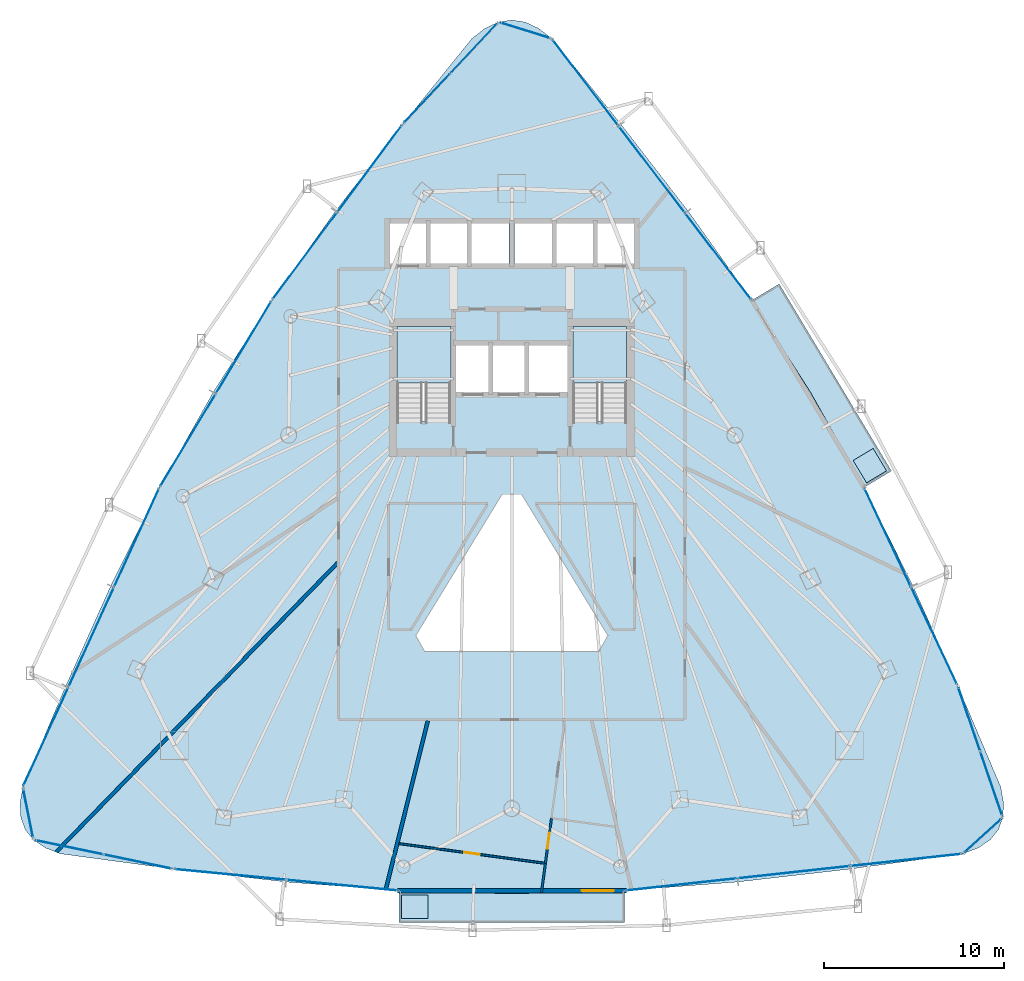
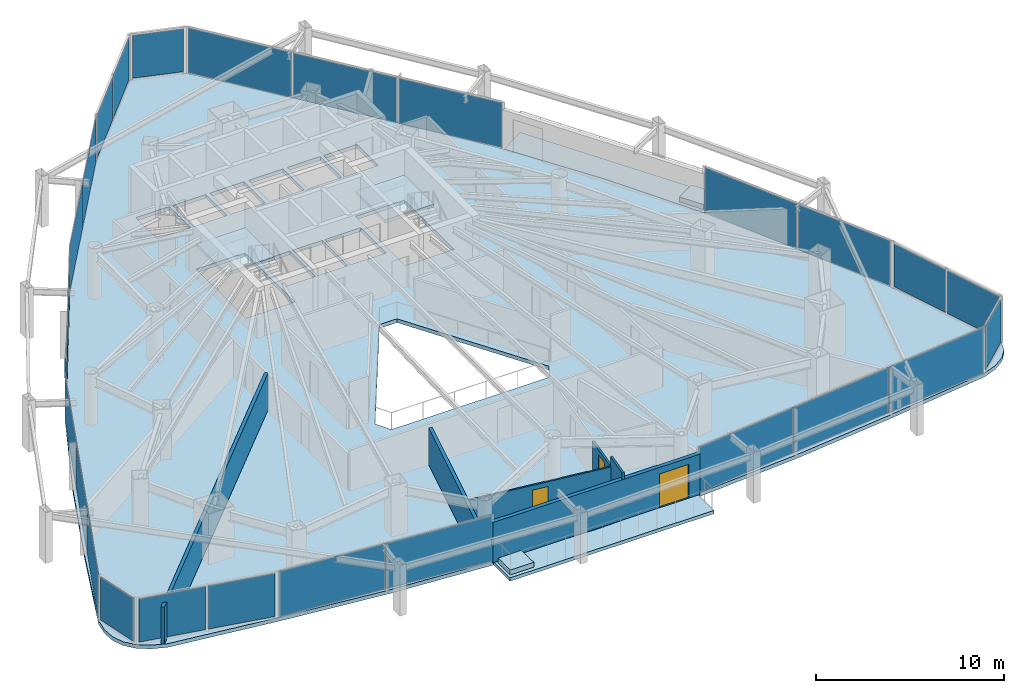
# One storey, part 28 of 33: 26 plates, 7 slabs, 6 walls, 3 doors, 3 openings, 15 elements without a shape of their own.
"""IFC4 building model written with IfcOpenShell, lengths in metres."""

from ifc_helpers import new_model, si_unit, direction, frame, frame_2d, origin, origin_2d, place, context, subcontext, project, spatial, polyline, rectangle, outline, extrude, material, layer, layer_set, type_object, element, fill, aggregate, save


model = new_model("IFC4")

# Units and contexts
model_context = context("Model", 3, precision=1e-05, world=origin(), true_north=direction((0.0, 1.0)))
body_context = subcontext(model_context, "Body", "Model", "MODEL_VIEW")
ifc_project = project(units=[si_unit("LENGTHUNIT", "METRE"), si_unit("AREAUNIT", "SQUARE_METRE"), si_unit("VOLUMEUNIT", "CUBIC_METRE"), si_unit("PLANEANGLEUNIT", "RADIAN"), si_unit("MASSUNIT", "GRAM", prefix="KILO")], contexts=[model_context])

# Site, building, storey
site_placement = place(None, origin())
site = spatial("IfcSite", under=ifc_project, at=site_placement, CompositionType="ELEMENT")
building_placement = place(site_placement, origin())
building = spatial("IfcBuilding", under=site, at=building_placement, Name="Orvanel Arch Residences", CompositionType="ELEMENT")
storey_placement = place(building_placement, frame((0.0, 0.0, 84.050048828125)))
storey = spatial("IfcBuildingStorey", under=building, at=storey_placement, Name="L23", CompositionType="ELEMENT", Elevation=84.050048828125)

# Curtain wall, plates
ifc_material_1 = material(Name="Bronze-anodised aluminium AA6063-T6", Category="aluminium")
ifc_layer_1 = layer(ifc_material_1, 0.179931640625)
ifc_layer_set_1 = layer_set([ifc_layer_1], Name="Bronze-anodised aluminium AA6063-T6")
curtain_wall_type_1 = type_object("IfcCurtainWallType", Name="CW2-LOW-SYS", PredefinedType="NOTDEFINED", material=ifc_layer_set_1)
curtain_wall_1_placement = place(storey_placement, origin())
curtain_wall_1 = element("IfcCurtainWall", 1, at=curtain_wall_1_placement, inside=storey, type_object=curtain_wall_type_1, Name="L23 CW2-LOW-SYS Unitised Curtain Wall", PredefinedType="NOTDEFINED")
ifc_material_2 = material(Name="Double-glazed solar-control low-E safety glass", Category="glass")
ifc_layer_2 = layer(ifc_material_2, 0.028076171875)
ifc_layer_set_2 = layer_set([ifc_layer_2], Name="Double-glazed solar-control low-E safety glass")
plate_type_1 = type_object("IfcPlateType", Name="PNL-GLZ-28", PredefinedType="CURTAIN_PANEL", material=ifc_layer_set_2)
plate_1_placement = place(storey_placement, frame((25.074951171875, 42.485107421875, 0.06005859375), z_axis=(0.0, 0.0, 1.0), x_axis=(-0.59629979893, -0.80276182632, 0.0)))
plate_1 = element("IfcPlate", 2, at=plate_1_placement, type_object=plate_type_1, Name="CW-S2 panel 1.1", PredefinedType="CURTAIN_PANEL", context=body_context, shape_type="SweptSolid", body=[
    extrude(rectangle(XDim=5.98095703125, YDim=0.028076171875, at=origin_2d()), origin(), (0.0, 0.0, 1.0), 2.93994140625),
])
plate_2_placement = place(storey_placement, frame((21.467041015625, 37.627685546875, 0.06005859375), z_axis=(0.0, 0.0, 1.0), x_axis=(-0.59629979893, -0.80276182632, 0.0)))
plate_2 = element("IfcPlate", 3, at=plate_2_placement, type_object=plate_type_1, Name="CW-S2 panel 2.1", PredefinedType="CURTAIN_PANEL", context=body_context, shape_type="SweptSolid", body=[
    extrude(rectangle(XDim=5.98095703125, YDim=0.028076171875, at=origin_2d()), origin(), (0.0, 0.0, 1.0), 2.93994140625),
])
aggregate(curtain_wall_1, [plate_1, plate_2])

curtain_wall_2_placement = place(storey_placement, origin())
curtain_wall_2 = element("IfcCurtainWall", 4, at=curtain_wall_2_placement, inside=storey, type_object=curtain_wall_type_1, Name="L23 CW2-LOW-SYS Unitised Curtain Wall", PredefinedType="NOTDEFINED")
plate_3_placement = place(storey_placement, frame((18.05322265625, 32.526123046875, 0.06005859375), z_axis=(0.0, 0.0, 1.0), x_axis=(-0.514422907712, -0.857536630134, 0.0)))
plate_3 = element("IfcPlate", 5, at=plate_3_placement, type_object=plate_type_1, Name="CW-S2 panel 1.1", PredefinedType="CURTAIN_PANEL", context=body_context, shape_type="SweptSolid", body=[
    extrude(rectangle(XDim=5.951416015625, YDim=0.028076171875, at=origin_2d()), origin(), (0.0, 0.0, 1.0), 2.93994140625),
])
plate_4_placement = place(storey_placement, frame((14.955810546875, 27.36279296875, 0.06005859375), z_axis=(0.0, 0.0, 1.0), x_axis=(-0.514422907712, -0.857536630134, 0.0)))
plate_4 = element("IfcPlate", 6, at=plate_4_placement, type_object=plate_type_1, Name="CW-S2 panel 2.1", PredefinedType="CURTAIN_PANEL", context=body_context, shape_type="SweptSolid", body=[
    extrude(rectangle(XDim=5.951416015625, YDim=0.028076171875, at=origin_2d()), origin(), (0.0, 0.0, 1.0), 2.93994140625),
])
aggregate(curtain_wall_2, [plate_3, plate_4])

curtain_wall_3_placement = place(storey_placement, origin())
curtain_wall_3 = element("IfcCurtainWall", 7, at=curtain_wall_3_placement, inside=storey, type_object=curtain_wall_type_1, Name="L23 CW2-LOW-SYS Unitised Curtain Wall", PredefinedType="NOTDEFINED")
plate_5_placement = place(storey_placement, frame((12.096923828125, 21.9248046875, 0.06005859375), z_axis=(0.0, 0.0, 1.0), x_axis=(-0.415267778343, -0.90969922077, 0.0)))
plate_5 = element("IfcPlate", 8, at=plate_5_placement, type_object=plate_type_1, Name="CW-S2 panel 1.1", PredefinedType="CURTAIN_PANEL", context=body_context, shape_type="SweptSolid", body=[
    extrude(rectangle(XDim=5.996337890625, YDim=0.028076171875, at=origin_2d()), origin(), (0.0, 0.0, 1.0), 2.93994140625),
])
plate_6_placement = place(storey_placement, frame((9.570556640625, 16.390380859375, 0.06005859375), z_axis=(0.0, 0.0, 1.0), x_axis=(-0.415267778343, -0.90969922077, 0.0)))
plate_6 = element("IfcPlate", 9, at=plate_6_placement, type_object=plate_type_1, Name="CW-S2 panel 2.1", PredefinedType="CURTAIN_PANEL", context=body_context, shape_type="SweptSolid", body=[
    extrude(rectangle(XDim=6.03125, YDim=0.028076171875, at=origin_2d()), origin(), (0.0, 0.0, 1.0), 2.93994140625),
])
plate_7_placement = place(storey_placement, frame((7.044189453125, 10.856201171875, 0.06005859375), z_axis=(0.0, 0.0, 1.0), x_axis=(-0.415267778343, -0.90969922077, 0.0)))
plate_7 = element("IfcPlate", 10, at=plate_7_placement, type_object=plate_type_1, Name="CW-S2 panel 3.1", PredefinedType="CURTAIN_PANEL", context=body_context, shape_type="SweptSolid", body=[
    extrude(rectangle(XDim=5.996337890625, YDim=0.028076171875, at=origin_2d()), origin(), (0.0, 0.0, 1.0), 2.93994140625),
])
aggregate(curtain_wall_3, [plate_5, plate_6, plate_7])

curtain_wall_4_placement = place(storey_placement, origin())
curtain_wall_4 = element("IfcCurtainWall", 11, at=curtain_wall_4_placement, inside=storey, type_object=curtain_wall_type_1, Name="L23 CW2-LOW-SYS Unitised Curtain Wall", PredefinedType="NOTDEFINED")
plate_8_placement = place(storey_placement, frame((17.32177734375, 3.169677734375, 0.06005859375), z_axis=(0.0, 0.0, 1.0), x_axis=(0.995449276227, -0.095292908754, 0.0)))
plate_8 = element("IfcPlate", 12, at=plate_8_placement, type_object=plate_type_1, Name="CW-S2 panel 1.1", PredefinedType="CURTAIN_PANEL", context=body_context, shape_type="SweptSolid", body=[
    extrude(rectangle(XDim=6.18603515625, YDim=0.028076171875, at=origin_2d()), origin(), (0.0, 0.0, 1.0), 2.93994140625),
])
plate_9_placement = place(storey_placement, frame((23.54931640625, 2.573486328125, 0.06005859375), z_axis=(0.0, 0.0, 1.0), x_axis=(0.995449276227, -0.095292908754, 0.0)))
plate_9 = element("IfcPlate", 13, at=plate_9_placement, type_object=plate_type_1, Name="CW-S2 panel 2.1", PredefinedType="CURTAIN_PANEL", context=body_context, shape_type="SweptSolid", body=[
    extrude(rectangle(XDim=6.18603515625, YDim=0.028076171875, at=origin_2d()), origin(), (0.0, 0.0, 1.0), 2.93994140625),
])
aggregate(curtain_wall_4, [plate_8, plate_9])

curtain_wall_5_placement = place(storey_placement, origin())
curtain_wall_5 = element("IfcCurtainWall", 14, at=curtain_wall_5_placement, inside=storey, type_object=curtain_wall_type_1, Name="L23 CW2-LOW-SYS Unitised Curtain Wall", PredefinedType="NOTDEFINED")
plate_10_placement = place(storey_placement, frame((42.453857421875, 2.615478515625, 0.06005859375), z_axis=(0.0, 0.0, 1.0), x_axis=(0.994117397629, 0.108307893213, 0.0)))
plate_10 = element("IfcPlate", 15, at=plate_10_placement, type_object=plate_type_1, Name="CW-S2 panel 1.1", PredefinedType="CURTAIN_PANEL", context=body_context, shape_type="SweptSolid", body=[
    extrude(rectangle(XDim=6.201171875, YDim=0.028076171875, at=origin_2d()), origin(), (0.0, 0.0, 1.0), 2.93994140625),
])
plate_11_placement = place(storey_placement, frame((48.70556640625, 3.29638671875, 0.06005859375), z_axis=(0.0, 0.0, 1.0), x_axis=(0.994117397629, 0.108307893213, 0.0)))
plate_11 = element("IfcPlate", 16, at=plate_11_placement, type_object=plate_type_1, Name="CW-S2 panel 2.1", PredefinedType="CURTAIN_PANEL", context=body_context, shape_type="SweptSolid", body=[
    extrude(rectangle(XDim=6.236083984375, YDim=0.028076171875, at=origin_2d()), origin(), (0.0, 0.0, 1.0), 2.93994140625),
])
plate_12_placement = place(storey_placement, frame((54.95703125, 3.9775390625, 0.06005859375), z_axis=(0.0, 0.0, 1.0), x_axis=(0.994117397629, 0.108307893213, 0.0)))
plate_12 = element("IfcPlate", 17, at=plate_12_placement, type_object=plate_type_1, Name="CW-S2 panel 3.1", PredefinedType="CURTAIN_PANEL", context=body_context, shape_type="SweptSolid", body=[
    extrude(rectangle(XDim=6.201171875, YDim=0.028076171875, at=origin_2d()), origin(), (0.0, 0.0, 1.0), 2.93994140625),
])
aggregate(curtain_wall_5, [plate_10, plate_11, plate_12])

curtain_wall_6_placement = place(storey_placement, origin())
curtain_wall_6 = element("IfcCurtainWall", 18, at=curtain_wall_6_placement, inside=storey, type_object=curtain_wall_type_1, Name="L23 CW2-LOW-SYS Unitised Curtain Wall", PredefinedType="NOTDEFINED")
plate_13_placement = place(storey_placement, frame((56.52392578125, 16.478759765625, 0.06005859375), z_axis=(0.0, 0.0, 1.0), x_axis=(-0.427386942528, 0.904068803442, 0.0)))
plate_13 = element("IfcPlate", 19, at=plate_13_placement, type_object=plate_type_1, Name="CW-S2 panel 1.1", PredefinedType="CURTAIN_PANEL", context=body_context, shape_type="SweptSolid", body=[
    extrude(rectangle(XDim=5.980712890625, YDim=0.028076171875, at=origin_2d()), origin(), (0.0, 0.0, 1.0), 2.93994140625),
])
plate_14_placement = place(storey_placement, frame((53.93798828125, 21.94921875, 0.06005859375), z_axis=(0.0, 0.0, 1.0), x_axis=(-0.427386942528, 0.904068803442, 0.0)))
plate_14 = element("IfcPlate", 20, at=plate_14_placement, type_object=plate_type_1, Name="CW-S2 panel 2.1", PredefinedType="CURTAIN_PANEL", context=body_context, shape_type="SweptSolid", body=[
    extrude(rectangle(XDim=5.980712890625, YDim=0.028076171875, at=origin_2d()), origin(), (0.0, 0.0, 1.0), 2.93994140625),
])
aggregate(curtain_wall_6, [plate_13, plate_14])

curtain_wall_7_placement = place(storey_placement, origin())
curtain_wall_7 = element("IfcCurtainWall", 21, at=curtain_wall_7_placement, inside=storey, type_object=curtain_wall_type_1, Name="L23 CW2-LOW-SYS Unitised Curtain Wall", PredefinedType="NOTDEFINED")
plate_15_placement = place(storey_placement, frame((44.495361328125, 37.60888671875, 0.06005859375), z_axis=(0.0, 0.0, 1.0), x_axis=(-0.607109355399, 0.794618292381, 0.0)))
plate_15 = element("IfcPlate", 22, at=plate_15_placement, type_object=plate_type_1, Name="CW-S2 panel 1.1", PredefinedType="CURTAIN_PANEL", context=body_context, shape_type="SweptSolid", body=[
    extrude(rectangle(XDim=5.99609375, YDim=0.028076171875, at=origin_2d()), origin(), (0.0, 0.0, 1.0), 2.93994140625),
])
plate_16_placement = place(storey_placement, frame((40.802001953125, 42.443115234375, 0.06005859375), z_axis=(0.0, 0.0, 1.0), x_axis=(-0.607109355399, 0.794618292381, 0.0)))
plate_16 = element("IfcPlate", 23, at=plate_16_placement, type_object=plate_type_1, Name="CW-S2 panel 2.1", PredefinedType="CURTAIN_PANEL", context=body_context, shape_type="SweptSolid", body=[
    extrude(rectangle(XDim=6.031005859375, YDim=0.028076171875, at=origin_2d()), origin(), (0.0, 0.0, 1.0), 2.93994140625),
])
plate_17_placement = place(storey_placement, frame((37.108642578125, 47.277099609375, 0.06005859375), z_axis=(0.0, 0.0, 1.0), x_axis=(-0.607109355399, 0.794618292381, 0.0)))
plate_17 = element("IfcPlate", 24, at=plate_17_placement, type_object=plate_type_1, Name="CW-S2 panel 3.1", PredefinedType="CURTAIN_PANEL", context=body_context, shape_type="SweptSolid", body=[
    extrude(rectangle(XDim=5.99609375, YDim=0.028076171875, at=origin_2d()), origin(), (0.0, 0.0, 1.0), 2.93994140625),
])
aggregate(curtain_wall_7, [plate_15, plate_16, plate_17])

# Curtain wall, plate
ifc_layer_3 = layer(ifc_material_1, 0.18994140625)
ifc_layer_set_3 = layer_set([ifc_layer_3], Name="Bronze-anodised aluminium AA6063-T6")
curtain_wall_type_2 = type_object("IfcCurtainWallType", Name="CW5-CRN-SYS", PredefinedType="NOTDEFINED", material=ifc_layer_set_3)
curtain_wall_8_placement = place(storey_placement, origin())
curtain_wall_8 = element("IfcCurtainWall", 25, at=curtain_wall_8_placement, inside=storey, type_object=curtain_wall_type_2, Name="L23 CW5-CRN-SYS Unitised Curtain Wall", PredefinedType="NOTDEFINED")
ifc_layer_4 = layer(ifc_material_2, 0.031982421875)
ifc_layer_set_4 = layer_set([ifc_layer_4], Name="Double-glazed solar-control low-E safety glass")
plate_type_2 = type_object("IfcPlateType", Name="PNL-GLZ-32", PredefinedType="CURTAIN_PANEL", material=ifc_layer_set_4)
plate_18_placement = place(storey_placement, frame((33.744384765625, 50.194580078125, 0.1298828125), z_axis=(0.0, 0.0, 1.0), x_axis=(-0.954854729762, 0.297073130813, 0.0)))
plate_18 = element("IfcPlate", 26, at=plate_18_placement, type_object=plate_type_2, Name="CW-S5 panel 1.1", PredefinedType="CURTAIN_PANEL", context=body_context, shape_type="SweptSolid", body=[
    extrude(rectangle(XDim=2.780029296875, YDim=0.031982421875, at=origin_2d()), origin(), (0.0, 0.0, 1.0), 2.800048828125),
])
aggregate(curtain_wall_8, [plate_18])

# Curtain wall, plates
curtain_wall_9_placement = place(storey_placement, origin())
curtain_wall_9 = element("IfcCurtainWall", 27, at=curtain_wall_9_placement, inside=storey, type_object=curtain_wall_type_2, Name="L23 CW5-CRN-SYS Unitised Curtain Wall", PredefinedType="NOTDEFINED")
plate_19_placement = place(storey_placement, frame((30.88671875, 49.1982421875, 0.1298828125), z_axis=(0.0, 0.0, 1.0), x_axis=(-0.683898325787, -0.729577329682, 0.0)))
plate_19 = element("IfcPlate", 28, at=plate_19_placement, type_object=plate_type_2, Name="CW-S5 panel 1.1", PredefinedType="CURTAIN_PANEL", context=body_context, shape_type="SweptSolid", body=[
    extrude(rectangle(XDim=3.660888671875, YDim=0.031982421875, at=origin_2d()), origin(), (0.0, 0.0, 1.0), 2.800048828125),
])
plate_20_placement = place(storey_placement, frame((28.280517578125, 46.41796875, 0.1298828125), z_axis=(0.0, 0.0, 1.0), x_axis=(-0.683898325787, -0.729577329682, 0.0)))
plate_20 = element("IfcPlate", 29, at=plate_20_placement, type_object=plate_type_2, Name="CW-S5 panel 2.1", PredefinedType="CURTAIN_PANEL", context=body_context, shape_type="SweptSolid", body=[
    extrude(rectangle(XDim=3.660888671875, YDim=0.031982421875, at=origin_2d()), origin(), (0.0, 0.0, 1.0), 2.800048828125),
])
aggregate(curtain_wall_9, [plate_19, plate_20])

# Curtain wall, plate
curtain_wall_10_placement = place(storey_placement, origin())
curtain_wall_10 = element("IfcCurtainWall", 30, at=curtain_wall_10_placement, inside=storey, type_object=curtain_wall_type_2, Name="L23 CW5-CRN-SYS Unitised Curtain Wall", PredefinedType="NOTDEFINED")
plate_21_placement = place(storey_placement, frame((6.055908203125, 6.573974609375, 0.1298828125), z_axis=(0.0, 0.0, 1.0), x_axis=(0.195726742876, -0.980658473743, 0.0)))
plate_21 = element("IfcPlate", 31, at=plate_21_placement, type_object=plate_type_2, Name="CW-S5 panel 1.1", PredefinedType="CURTAIN_PANEL", context=body_context, shape_type="SweptSolid", body=[
    extrude(rectangle(XDim=2.663330078125, YDim=0.031982421875, at=origin_2d()), origin(), (0.0, 0.0, 1.0), 2.800048828125),
])
aggregate(curtain_wall_10, [plate_21])

# Curtain wall, plates
curtain_wall_11_placement = place(storey_placement, origin())
curtain_wall_11 = element("IfcCurtainWall", 32, at=curtain_wall_11_placement, inside=storey, type_object=curtain_wall_type_2, Name="L23 CW5-CRN-SYS Unitised Curtain Wall", PredefinedType="NOTDEFINED")
plate_22_placement = place(storey_placement, frame((8.347412109375, 4.684326171875, 0.1298828125), z_axis=(0.0, 0.0, 1.0), x_axis=(0.978912174653, -0.204281556473, 0.0)))
plate_22 = element("IfcPlate", 33, at=plate_22_placement, type_object=plate_type_2, Name="CW-S5 panel 1.1", PredefinedType="CURTAIN_PANEL", context=body_context, shape_type="SweptSolid", body=[
    extrude(rectangle(XDim=3.740234375, YDim=0.031982421875, at=origin_2d()), origin(), (0.0, 0.0, 1.0), 2.800048828125),
])
plate_23_placement = place(storey_placement, frame((12.155517578125, 3.8896484375, 0.1298828125), z_axis=(0.0, 0.0, 1.0), x_axis=(0.978912174653, -0.204281556473, 0.0)))
plate_23 = element("IfcPlate", 34, at=plate_23_placement, type_object=plate_type_2, Name="CW-S5 panel 2.1", PredefinedType="CURTAIN_PANEL", context=body_context, shape_type="SweptSolid", body=[
    extrude(rectangle(XDim=3.740234375, YDim=0.031982421875, at=origin_2d()), origin(), (0.0, 0.0, 1.0), 2.800048828125),
])
aggregate(curtain_wall_11, [plate_22, plate_23])

# Curtain wall, plate
curtain_wall_12_placement = place(storey_placement, origin())
curtain_wall_12 = element("IfcCurtainWall", 35, at=curtain_wall_12_placement, inside=storey, type_object=curtain_wall_type_2, Name="L23 CW5-CRN-SYS Unitised Curtain Wall", PredefinedType="NOTDEFINED")
plate_24_placement = place(storey_placement, frame((59.240966796875, 5.33251953125, 0.1298828125), z_axis=(0.0, 0.0, 1.0), x_axis=(0.740199537134, 0.672387273249, 0.0)))
plate_24 = element("IfcPlate", 36, at=plate_24_placement, type_object=plate_type_2, Name="CW-S5 panel 1.1", PredefinedType="CURTAIN_PANEL", context=body_context, shape_type="SweptSolid", body=[
    extrude(rectangle(XDim=2.6640625, YDim=0.031982421875, at=origin_2d()), origin(), (0.0, 0.0, 1.0), 2.800048828125),
])
aggregate(curtain_wall_12, [plate_24])

# Curtain wall, plates
curtain_wall_13_placement = place(storey_placement, origin())
curtain_wall_13 = element("IfcCurtainWall", 37, at=curtain_wall_13_placement, inside=storey, type_object=curtain_wall_type_2, Name="L23 CW5-CRN-SYS Unitised Curtain Wall", PredefinedType="NOTDEFINED")
plate_25_placement = place(storey_placement, frame((59.7099609375, 8.22509765625, 0.1298828125), z_axis=(0.0, 0.0, 1.0), x_axis=(-0.32343774043, 0.946249453403, 0.0)))
plate_25 = element("IfcPlate", 38, at=plate_25_placement, type_object=plate_type_2, Name="CW-S5 panel 1.1", PredefinedType="CURTAIN_PANEL", context=body_context, shape_type="SweptSolid", body=[
    extrude(rectangle(XDim=3.6396484375, YDim=0.031982421875, at=origin_2d()), origin(), (0.0, 0.0, 1.0), 2.800048828125),
])
plate_26_placement = place(storey_placement, frame((58.484130859375, 11.81103515625, 0.1298828125), z_axis=(0.0, 0.0, 1.0), x_axis=(-0.32343774043, 0.946249453403, 0.0)))
plate_26 = element("IfcPlate", 39, at=plate_26_placement, type_object=plate_type_2, Name="CW-S5 panel 2.1", PredefinedType="CURTAIN_PANEL", context=body_context, shape_type="SweptSolid", body=[
    extrude(rectangle(XDim=3.6396484375, YDim=0.031982421875, at=origin_2d()), origin(), (0.0, 0.0, 1.0), 2.800048828125),
])
aggregate(curtain_wall_13, [plate_25, plate_26])

# Slabs
ifc_material_3 = material(Name="Concrete N40 (40 MPa)", Category="concrete")
ifc_layer_5 = layer(ifc_material_3, 0.215087890625)
ifc_layer_set_5 = layer_set([ifc_layer_5], Name="Concrete N40 (40 MPa)")
slab_type_1 = type_object("IfcSlabType", Name="SLB-BAL-215", PredefinedType="FLOOR", material=ifc_layer_set_5)
slab_1_placement = place(storey_placement, frame((0.0, 0.0, -0.215087890625)))
element("IfcSlab", 40, at=slab_1_placement, inside=storey, type_object=slab_type_1, Name="L23 Cantilevered Balcony Slab Face 2", PredefinedType="FLOOR", context=body_context, shape_type="SweptSolid", body=[
    extrude(outline(polyline([(26.718017578125, 0.489990234375), (39.281982421875, 0.489990234375), (39.281982421875, 2.27001953125), (33.0, 2.10107421875), (26.718017578125, 2.27001953125), (26.718017578125, 0.489990234375)])), origin(), (0.0, 0.0, 1.0), 0.215087890625),
])
slab_2_placement = place(storey_placement, frame((0.0, 0.0, -0.215087890625)))
element("IfcSlab", 41, at=slab_2_placement, inside=storey, type_object=slab_type_1, Name="L23 Cantilevered Balcony Slab Face 3", PredefinedType="FLOOR", context=body_context, shape_type="SweptSolid", body=[
    extrude(outline(polyline([(54.14794921875, 25.64990234375), (47.89697265625, 36.071044921875), (46.3701171875, 35.155029296875), (49.64111328125, 30.031005859375), (52.62109375, 24.73388671875), (54.14794921875, 25.64990234375)])), origin(), (0.0, 0.0, 1.0), 0.215087890625),
])

# Stair, slab
ifc_material_4 = material(Name="Precast concrete N50 (50 MPa)", Category="concrete")
stair_type = type_object("IfcStairType", Name="STR-DOG-184", PredefinedType="USERDEFINED", material=ifc_material_4)
stair_1_placement = place(storey_placement, origin())
stair_1 = element("IfcStair", 42, at=stair_1_placement, inside=storey, type_object=stair_type, Name="L23 Fire-Isolated Core Exit Stair 1", ObjectType="TWO_RETURN_STAIR", PredefinedType="USERDEFINED")
ifc_layer_6 = layer(ifc_material_3, 0.199951171875)
ifc_layer_set_6 = layer_set([ifc_layer_6], Name="Concrete N40 (40 MPa)")
slab_type_2 = type_object("IfcSlabType", Name="SLB-LND-200", PredefinedType="LANDING", material=ifc_layer_set_6)
slab_3_placement = place(storey_placement, frame((0.0, 0.0, 1.449951171875)))
slab_3 = element("IfcSlab", 43, at=slab_3_placement, type_object=slab_type_2, Name="ST-1 landing 1", PredefinedType="LANDING", context=body_context, shape_type="SweptSolid", body=[
    extrude(outline(polyline([(29.60009765625, 30.56005859375), (29.60009765625, 33.699951171875), (26.60009765625, 33.699951171875), (26.60009765625, 30.56005859375), (29.60009765625, 30.56005859375)])), origin(), (0.0, 0.0, 1.0), 0.199951171875),
])
aggregate(stair_1, [slab_3])

stair_2_placement = place(storey_placement, origin())
stair_2 = element("IfcStair", 44, at=stair_2_placement, inside=storey, type_object=stair_type, Name="L23 Fire-Isolated Core Exit Stair 2", ObjectType="TWO_RETURN_STAIR", PredefinedType="USERDEFINED")
slab_4_placement = place(storey_placement, frame((0.0, 0.0, 1.449951171875)))
slab_4 = element("IfcSlab", 45, at=slab_4_placement, type_object=slab_type_2, Name="ST-2 landing 1", PredefinedType="LANDING", context=body_context, shape_type="SweptSolid", body=[
    extrude(outline(polyline([(39.39990234375, 30.56005859375), (39.39990234375, 33.699951171875), (36.39990234375, 33.699951171875), (36.39990234375, 30.56005859375), (39.39990234375, 30.56005859375)])), origin(), (0.0, 0.0, 1.0), 0.199951171875),
])
aggregate(stair_2, [slab_4])

# Slabs
ifc_material_5 = material(Name="Structural architectural precast concrete N40 (40 MPa) planter", Category="concrete")
ifc_layer_7 = layer(ifc_material_5, 0.320068359375)
ifc_layer_set_7 = layer_set([ifc_layer_7], Name="Structural architectural precast concrete N40 (40 MPa) planter")
slab_type_3 = type_object("IfcSlabType", Name="SLB-PLN-320", PredefinedType="USERDEFINED", material=ifc_layer_set_7)
slab_5_placement = place(storey_placement, origin())
element("IfcSlab", 46, at=slab_5_placement, inside=storey, type_object=slab_type_3, Name="L23 Balcony TREE PLANTER Face 2", ObjectType="PLANTER", PredefinedType="USERDEFINED", context=body_context, shape_type="SweptSolid", body=[
    extrude(outline(polyline([(26.867919921875, 0.719970703125), (28.318115234375, 0.719970703125), (28.318115234375, 2.02001953125), (26.867919921875, 2.02001953125), (26.867919921875, 0.719970703125)])), origin(), (0.0, 0.0, 1.0), 0.320068359375),
])
slab_6_placement = place(storey_placement, origin())
element("IfcSlab", 47, at=slab_6_placement, inside=storey, type_object=slab_type_3, Name="L23 Balcony TREE PLANTER Face 3", ObjectType="PLANTER", PredefinedType="USERDEFINED", context=body_context, shape_type="SweptSolid", body=[
    extrude(outline(polyline([(53.873046875, 25.659912109375), (53.126953125, 26.903076171875), (52.012939453125, 26.235107421875), (52.759033203125, 24.990966796875), (53.873046875, 25.659912109375)])), origin(), (0.0, 0.0, 1.0), 0.320068359375),
])
ifc_layer_8 = layer(ifc_material_3, 0.239990234375)
ifc_layer_set_8 = layer_set([ifc_layer_8], Name="Concrete N40 (40 MPa)")
slab_type_4 = type_object("IfcSlabType", Name="SLB-TYP-240", PredefinedType="FLOOR", material=ifc_layer_set_8)
slab_7_placement = place(storey_placement, frame((0.0, 0.0, -0.239990234375)))
element("IfcSlab", 48, at=slab_7_placement, inside=storey, type_object=slab_type_4, Name="L23 Tower Floor Slab", PredefinedType="FLOOR", context=body_context, shape_type="SweptSolid", body=[
    extrude(outline(polyline([(35.23388671875, 49.73095703125), (34.489013671875, 50.31005859375), (33.7451171875, 50.657958984375), (33.0, 50.77294921875), (32.2548828125, 50.657958984375), (31.510986328125, 50.31005859375), (30.76611328125, 49.73095703125), (26.912109375, 44.9580078125), (23.16796875, 40.117919921875), (19.6298828125, 35.155029296875), (16.35888671875, 30.031005859375), (13.37890625, 24.73388671875), (10.666015625, 19.27587890625), (8.158935546875, 13.694091796875), (5.761962890625, 8.047119140625), (5.60205078125, 7.135986328125), (5.64697265625, 6.342041015625), (5.89599609375, 5.6630859375), (6.35009765625, 5.10107421875), (7.008056640625, 4.654052734375), (7.87109375, 4.322998046875), (14.153076171875, 3.472900390625), (20.43603515625, 2.751953125), (26.718017578125, 2.27001953125), (33.0, 2.10107421875), (39.281982421875, 2.27001953125), (45.56494140625, 2.751953125), (51.846923828125, 3.472900390625), (58.12890625, 4.322998046875), (58.991943359375, 4.654052734375), (59.64990234375, 5.10107421875), (60.10400390625, 5.6630859375), (60.35302734375, 6.342041015625), (60.39794921875, 7.135986328125), (60.238037109375, 8.047119140625), (57.841064453125, 13.694091796875), (55.333984375, 19.27587890625), (52.62109375, 24.73388671875), (49.64111328125, 30.031005859375), (46.3701171875, 35.155029296875), (42.83203125, 40.117919921875), (39.087890625, 44.9580078125), (35.23388671875, 49.73095703125)]), holes=[polyline([(26.60009765625, 28.429931640625), (26.60009765625, 33.699951171875), (29.60009765625, 33.699951171875), (29.60009765625, 28.429931640625), (26.60009765625, 28.429931640625)]), polyline([(36.39990234375, 28.429931640625), (36.39990234375, 33.699951171875), (39.39990234375, 33.699951171875), (39.39990234375, 28.429931640625), (36.39990234375, 28.429931640625)]), polyline([(29.89990234375, 32.64990234375), (31.75, 32.64990234375), (31.75, 29.949951171875), (29.89990234375, 29.949951171875), (29.89990234375, 32.64990234375)]), polyline([(31.89990234375, 32.64990234375), (33.75, 32.64990234375), (33.75, 29.949951171875), (31.89990234375, 29.949951171875), (31.89990234375, 32.64990234375)]), polyline([(33.89990234375, 32.64990234375), (36.10009765625, 32.64990234375), (36.10009765625, 29.949951171875), (33.89990234375, 29.949951171875), (33.89990234375, 32.64990234375)]), polyline([(26.199951171875, 39.449951171875), (28.25, 39.449951171875), (28.25, 37.199951171875), (26.199951171875, 37.199951171875), (26.199951171875, 39.449951171875)]), polyline([(37.75, 39.449951171875), (39.800048828125, 39.449951171875), (39.800048828125, 37.199951171875), (37.75, 37.199951171875), (37.75, 39.449951171875)]), polyline([(28.449951171875, 39.449951171875), (30.5, 39.449951171875), (30.5, 37.199951171875), (28.449951171875, 37.199951171875), (28.449951171875, 39.449951171875)]), polyline([(35.5, 39.449951171875), (37.550048828125, 39.449951171875), (37.550048828125, 37.199951171875), (35.5, 37.199951171875), (35.5, 39.449951171875)]), polyline([(30.75, 39.449951171875), (32.85009765625, 39.449951171875), (32.85009765625, 37.199951171875), (30.75, 37.199951171875), (30.75, 39.449951171875)]), polyline([(33.14990234375, 39.449951171875), (35.25, 39.449951171875), (35.25, 37.199951171875), (33.14990234375, 37.199951171875), (33.14990234375, 39.449951171875)]), polyline([(38.35205078125, 16.48291015625), (37.85498046875, 15.594970703125), (28.14501953125, 15.594970703125), (27.64794921875, 16.48291015625), (32.4580078125, 24.35009765625), (33.5419921875, 24.35009765625), (38.35205078125, 16.48291015625)])]), origin(), (0.0, 0.0, 1.0), 0.239990234375),
])

# Wall, opening, door
ifc_layer_9 = layer(ifc_material_4, 0.239990234375)
ifc_layer_set_9 = layer_set([ifc_layer_9], Name="Precast concrete N50 (50 MPa)")
wall_type_1 = type_object("IfcWallType", Name="EW-BAL-240", PredefinedType="SOLIDWALL", material=ifc_layer_set_9)
wall_1_placement = place(storey_placement, frame((26.6201171875, 2.27001953125, 0.0), z_axis=(0.0, 0.0, 1.0), x_axis=(1.0, 0.0, 0.0)))
wall_1 = element("IfcWall", 49, at=wall_1_placement, inside=storey, type_object=wall_type_1, Name="L23 Balcony Threshold Wall Face 2", PredefinedType="SOLIDWALL", context=body_context, shape_type="SweptSolid", body=[
    extrude(rectangle(XDim=12.759765625, YDim=0.239990234375, at=frame_2d((6.3798828125, 0.0))), origin(), (0.0, 0.0, 1.0), 2.6240234375),
])
opening_1_placement = place(wall_1_placement, frame((10.262939453125, 0.0, 0.0)))
opening_1 = element("IfcOpeningElement", 50, at=opening_1_placement, cuts=wall_1, Name="Opening DB-180", PredefinedType="OPENING", context=body_context, shape_type="SweptSolid", body=[
    extrude(rectangle(XDim=1.800048828125, YDim=2.199951171875, at=frame_2d((0.89990234375, 1.10009765625))), frame((0.0, 0.1298828125, 0.0), z_axis=(0.0, -1.0, 0.0), x_axis=(1.0, 0.0, 0.0)), (0.0, 0.0, 1.0), 0.260009765625),
])
door_type_1 = type_object("IfcDoorType", Name="DR-BAL-1800", OperationType="NOTDEFINED", PredefinedType="DOOR", material=ifc_material_1)
door_1_placement = place(opening_1_placement, origin())
door_1 = element("IfcDoor", 51, at=door_1_placement, inside=storey, type_object=door_type_1, Name="DR-L23-BAL-F2 L23 Planted Balcony Access Door Face 2", OperationType="SINGLE_SWING_LEFT", OverallHeight=2.199951171875, OverallWidth=1.800048828125, PredefinedType="DOOR", context=body_context, shape_type="SweptSolid", body=[
    extrude(rectangle(XDim=1.800048828125, YDim=2.199951171875, at=frame_2d((0.89990234375, 1.10009765625))), frame((0.0, 0.02490234375, 0.0), z_axis=(0.0, -1.0, 0.0), x_axis=(1.0, 0.0, 0.0)), (0.0, 0.0, 1.0), 0.050048828125),
])
fill(opening_1, door_1)

# Walls
ifc_material_6 = material(Name="Fire-rated plasterboard lined steel stud partition", Category="steel")
ifc_layer_10 = layer(ifc_material_6, 0.199951171875)
ifc_layer_set_10 = layer_set([ifc_layer_10], Name="Fire-rated plasterboard lined steel stud partition")
wall_type_2 = type_object("IfcWallType", Name="W-DEM-200", PredefinedType="PARTITIONING", material=ifc_layer_set_10)
wall_2_placement = place(storey_placement, frame((7.625, 4.431884765625, 0.0), z_axis=(0.0, 0.0, 1.0), x_axis=(0.697514321206, 0.716570842075, 0.0)))
element("IfcWall", 52, at=wall_2_placement, inside=storey, type_object=wall_type_2, Name="L23 Inter-Tenancy Acoustic Demising Wall", PredefinedType="PARTITIONING", context=body_context, shape_type="SweptSolid", body=[
    extrude(rectangle(XDim=22.45849609375, YDim=0.199951171875, at=frame_2d((11.229248046875, 0.0))), origin(), (0.0, 0.0, 1.0), 2.412841796875),
])
wall_3_placement = place(storey_placement, frame((28.322998046875, 11.739990234375, 0.0), z_axis=(0.0, 0.0, 1.0), x_axis=(-0.242001816391, -0.970275796289, 0.0)))
element("IfcWall", 53, at=wall_3_placement, inside=storey, type_object=wall_type_2, Name="L23 Inter-Tenancy Acoustic Demising Wall", PredefinedType="PARTITIONING", context=body_context, shape_type="SweptSolid", body=[
    extrude(rectangle(XDim=9.685791015625, YDim=0.199951171875, at=frame_2d((4.8427734375, 0.0))), origin(), (0.0, 0.0, 1.0), 2.412841796875),
])

# Wall, opening, door
ifc_material_7 = material(Name="Acoustic plasterboard lined twin-stud partition", Category="gypsum")
ifc_layer_11 = layer(ifc_material_7, 0.10009765625)
ifc_layer_set_11 = layer_set([ifc_layer_11], Name="Acoustic plasterboard lined twin-stud partition")
wall_type_3 = type_object("IfcWallType", Name="W-INT-100", PredefinedType="PARTITIONING", material=ifc_layer_set_11)
wall_4_placement = place(storey_placement, frame((34.87109375, 3.79296875, 0.0), z_axis=(0.0, 0.0, 1.0), x_axis=(-0.991052148622, 0.133475236324, 0.0)))
wall_4 = element("IfcWall", 54, at=wall_4_placement, inside=storey, type_object=wall_type_3, Name="L23 Studio F Internal Partition", PredefinedType="PARTITIONING", context=body_context, shape_type="SweptSolid", body=[
    extrude(rectangle(XDim=8.241943359375, YDim=0.10009765625, at=frame_2d((4.12109375, 0.0))), origin(), (0.0, 0.0, 1.0), 2.412841796875),
])
opening_2_placement = place(wall_4_placement, frame((3.680908203125, 0.0, 0.0)))
opening_2 = element("IfcOpeningElement", 55, at=opening_2_placement, cuts=wall_4, Name="Opening DI-088", PredefinedType="OPENING", context=body_context, shape_type="SweptSolid", body=[
    extrude(rectangle(XDim=0.8798828125, YDim=2.10009765625, at=frame_2d((0.43994140625, 1.050048828125))), frame((0.0, 0.06005859375, 0.0), z_axis=(0.0, -1.0, 0.0), x_axis=(1.0, 0.0, 0.0)), (0.0, 0.0, 1.0), 0.1201171875),
])
ifc_material_8 = material(Name="Solid-core European oak veneer fire door leaf", Category="wood")
door_type_2 = type_object("IfcDoorType", Name="DR-INT-880", OperationType="NOTDEFINED", PredefinedType="DOOR", material=ifc_material_8)
door_2_placement = place(opening_2_placement, origin())
door_2 = element("IfcDoor", 56, at=door_2_placement, inside=storey, type_object=door_type_2, Name="DR-L23-F-RET1 L23 Studio F Atelier Craft Showroom 1 Door", OperationType="SINGLE_SWING_LEFT", OverallHeight=2.10009765625, OverallWidth=0.8798828125, PredefinedType="DOOR", context=body_context, shape_type="SweptSolid", body=[
    extrude(rectangle(XDim=0.8798828125, YDim=2.10009765625, at=frame_2d((0.43994140625, 1.050048828125))), frame((0.0, 0.02490234375, 0.0), z_axis=(0.0, -1.0, 0.0), x_axis=(1.0, 0.0, 0.0)), (0.0, 0.0, 1.0), 0.050048828125),
])
fill(opening_2, door_2)

ifc_layer_12 = layer(ifc_material_7, 0.1201171875)
ifc_layer_set_12 = layer_set([ifc_layer_12], Name="Acoustic plasterboard lined twin-stud partition")
wall_type_4 = type_object("IfcWallType", Name="W-WET-120", PredefinedType="PARTITIONING", material=ifc_layer_set_12)
wall_5_placement = place(storey_placement, frame((35.208984375, 6.304931640625, 0.0), z_axis=(0.0, 0.0, 1.0), x_axis=(-0.133311944021, -0.991074127188, 0.0)))
wall_5 = element("IfcWall", 57, at=wall_5_placement, inside=storey, type_object=wall_type_4, Name="L23 Studio F Internal Partition", PredefinedType="PARTITIONING", context=body_context, shape_type="SweptSolid", body=[
    extrude(rectangle(XDim=2.53466796875, YDim=0.1201171875, at=frame_2d((1.267333984375, 0.0))), origin(), (0.0, 0.0, 1.0), 2.412841796875),
])
opening_3_placement = place(wall_5_placement, frame((0.826904296875, 0.0, 0.0)))
opening_3 = element("IfcOpeningElement", 58, at=opening_3_placement, cuts=wall_5, Name="Opening DI-088", PredefinedType="OPENING", context=body_context, shape_type="SweptSolid", body=[
    extrude(rectangle(XDim=0.8798828125, YDim=2.10009765625, at=frame_2d((0.43994140625, 1.050048828125))), frame((0.0, 0.070068359375, 0.0), z_axis=(0.0, -1.0, 0.0), x_axis=(1.0, 0.0, 0.0)), (0.0, 0.0, 1.0), 0.14013671875),
])
door_3_placement = place(opening_3_placement, origin())
door_3 = element("IfcDoor", 59, at=door_3_placement, inside=storey, type_object=door_type_2, Name="DR-L23-F-KIT L23 Studio F Kitchenette Door", OperationType="SINGLE_SWING_LEFT", OverallHeight=2.10009765625, OverallWidth=0.8798828125, PredefinedType="DOOR", context=body_context, shape_type="SweptSolid", body=[
    extrude(rectangle(XDim=0.8798828125, YDim=2.10009765625, at=frame_2d((0.43994140625, 1.050048828125))), frame((0.0, 0.02490234375, 0.0), z_axis=(0.0, -1.0, 0.0), x_axis=(1.0, 0.0, 0.0)), (0.0, 0.0, 1.0), 0.050048828125),
])
fill(opening_3, door_3)

# Wall
wall_6_placement = place(storey_placement, frame((34.65087890625, 2.159912109375, 0.0), z_axis=(0.0, 0.0, 1.0), x_axis=(0.133638685836, 0.991030121463, 0.0)))
element("IfcWall", 60, at=wall_6_placement, inside=storey, type_object=wall_type_4, Name="L23 Studio F Internal Partition", PredefinedType="PARTITIONING", context=body_context, shape_type="SweptSolid", body=[
    extrude(rectangle(XDim=1.64794921875, YDim=0.1201171875, at=frame_2d((0.823974609375, 0.0))), origin(), (0.0, 0.0, 1.0), 3.06005859375),
])

save(model, "model.ifc")
